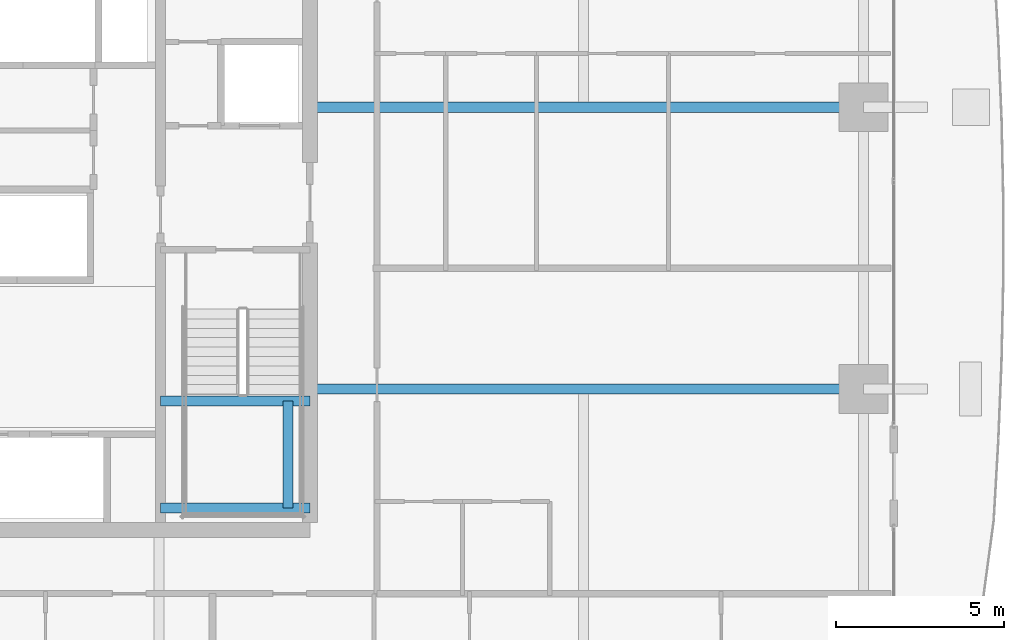
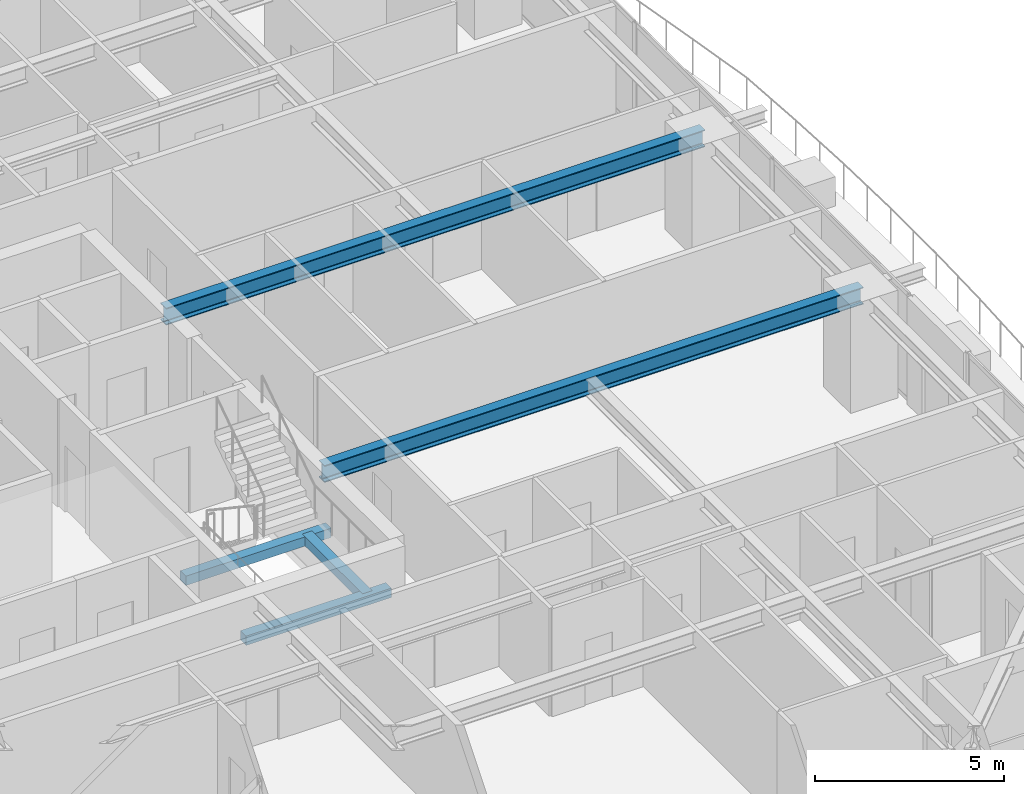
# One storey, part 13 of 38: 5 beams.
"""IFC4 building model written with IfcOpenShell, lengths in metres."""

from ifc_helpers import new_model, si_unit, direction, frame, origin, origin_2d, place, context, subcontext, project, spatial, rectangle, i_section, extrude, source, transform, mapped, material, material_profile, profile_set, type_object, element, save


model = new_model("IFC4")

# Units and contexts
model_context = context("Model", 3, precision=1e-05, world=origin(), true_north=direction((0.0, 1.0)))
body_context = subcontext(model_context, "Body", "Model", "MODEL_VIEW")
ifc_project = project(units=[si_unit("LENGTHUNIT", "METRE"), si_unit("AREAUNIT", "SQUARE_METRE"), si_unit("VOLUMEUNIT", "CUBIC_METRE"), si_unit("PLANEANGLEUNIT", "RADIAN"), si_unit("MASSUNIT", "GRAM", prefix="KILO")], contexts=[model_context])

# Site, building, storey
site_placement = place(None, origin())
site = spatial("IfcSite", under=ifc_project, at=site_placement, CompositionType="ELEMENT")
building_placement = place(site_placement, origin())
building = spatial("IfcBuilding", under=site, at=building_placement, Name="Serunith Strait Residences", CompositionType="ELEMENT")
storey_placement = place(building_placement, frame((0.0, 0.0, 37.949951171875)))
storey = spatial("IfcBuildingStorey", under=building, at=storey_placement, Name="L08", CompositionType="ELEMENT", Elevation=37.949951171875)

# Beams
ifc_material_1 = material(Name="Steel S355J2", Category="steel")
ifc_material_profile_1 = material_profile(ifc_material_1, i_section(OverallWidth=0.300048828125, OverallDepth=0.550048828125, WebThickness=0.014892578125, FlangeThickness=0.029052734375, FilletRadius=0.027099609375, at=origin_2d()), Name="HEB 550")
ifc_profile_set_1 = profile_set([ifc_material_profile_1], Name="Steel S355J2")
beam_type_1 = type_object("IfcBeamType", Name="BM-HEB550", PredefinedType="BEAM", material=ifc_profile_set_1)
shared_shape_1 = source(origin(), body_context, "Body", "SweptSolid", [
    extrude(i_section(OverallWidth=0.300048828125, OverallDepth=0.550048828125, WebThickness=0.014892578125, FlangeThickness=0.029052734375, FilletRadius=0.027099609375, at=origin_2d()), origin(), (0.0, 0.0, 1.0), 16.5),
])
for number, where, z_axis, x_axis, name in (
    (1, (41.39990234375, 21.0, 3.212158203125), (1.0, 0.0, 0.0), (0.0, 1.0, 0.0), "L08 Primary Floor Girder TC-E2"),
    (2, (41.39990234375, 29.39990234375, 3.212158203125), (1.0, 0.0, 0.0), (0.0, 1.0, 0.0), "L08 Primary Floor Girder TC-E3"),
):
    element("IfcBeam", number, at=place(storey_placement, frame(where, z_axis=z_axis, x_axis=x_axis)), inside=storey, type_object=beam_type_1, Name=name, PredefinedType="BEAM", context=body_context, shape_type="MappedRepresentation", body=[
        mapped(shared_shape_1, transform((0.0, 0.0, 0.0), scale=1.0)),
    ])
ifc_material_2 = material(Name="Concrete C60/75", Category="concrete")
ifc_material_profile_2 = material_profile(ifc_material_2, rectangle(XDim=0.300048828125, YDim=0.300048828125, at=origin_2d()), Name="RC 300x300")
ifc_profile_set_2 = profile_set([ifc_material_profile_2], Name="Concrete C60/75")
beam_type_2 = type_object("IfcBeamType", Name="BM-LAND-300x300", PredefinedType="BEAM", material=ifc_profile_set_2)
shared_shape_2 = source(origin(), body_context, "Body", "SweptSolid", [
    extrude(rectangle(XDim=0.300048828125, YDim=0.300048828125, at=origin_2d()), origin(), (0.0, 0.0, 1.0), 3.199951171875),
])
beam_placement = place(storey_placement, frame((40.75, 17.449951171875, 1.525146484375), z_axis=(0.0, 1.0, 0.0), x_axis=(-1.0, 0.0, 0.0)))
element("IfcBeam", 3, at=beam_placement, inside=storey, type_object=beam_type_2, Name="L08 ST-2 Landing Transverse Tie Beam", PredefinedType="BEAM", context=body_context, shape_type="MappedRepresentation", body=[
    mapped(shared_shape_2, transform((0.0, 0.0, 0.0), scale=1.0)),
])
shared_shape_3 = source(origin(), body_context, "Body", "SweptSolid", [
    extrude(rectangle(XDim=0.300048828125, YDim=0.300048828125, at=origin_2d()), origin(), (0.0, 0.0, 1.0), 4.449951171875),
])
for number, where, z_axis, x_axis, name in (
    (4, (36.949951171875, 17.449951171875, 1.525146484375), (1.0, 0.0, 0.0), (0.0, 1.0, 0.0), "L08 ST-2 Landing Support Beam 1"),
    (5, (36.949951171875, 20.64990234375, 1.525146484375), (1.0, 0.0, 0.0), (0.0, 1.0, 0.0), "L08 ST-2 Landing Support Beam 2"),
):
    element("IfcBeam", number, at=place(storey_placement, frame(where, z_axis=z_axis, x_axis=x_axis)), inside=storey, type_object=beam_type_2, Name=name, PredefinedType="BEAM", context=body_context, shape_type="MappedRepresentation", body=[
        mapped(shared_shape_3, transform((0.0, 0.0, 0.0), scale=1.0)),
    ])

save(model, "model.ifc")
